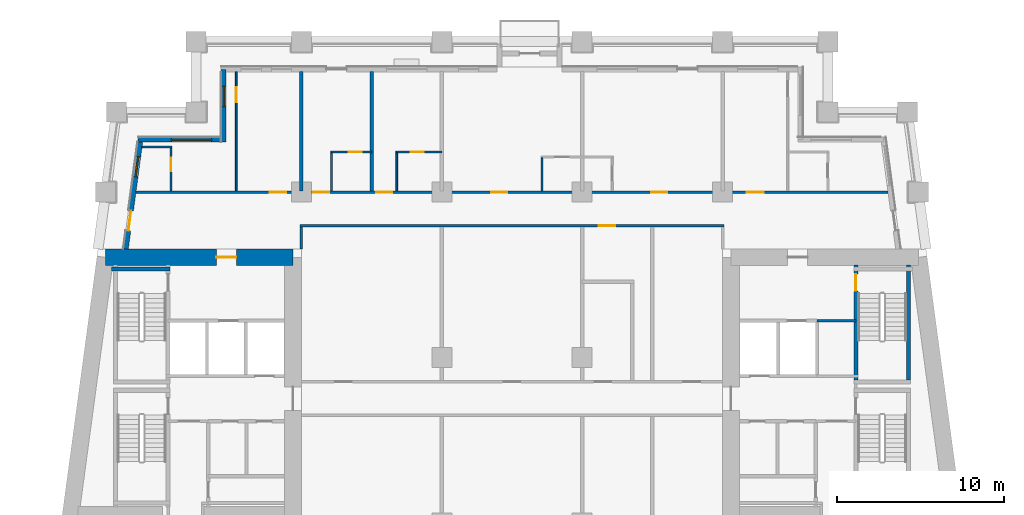
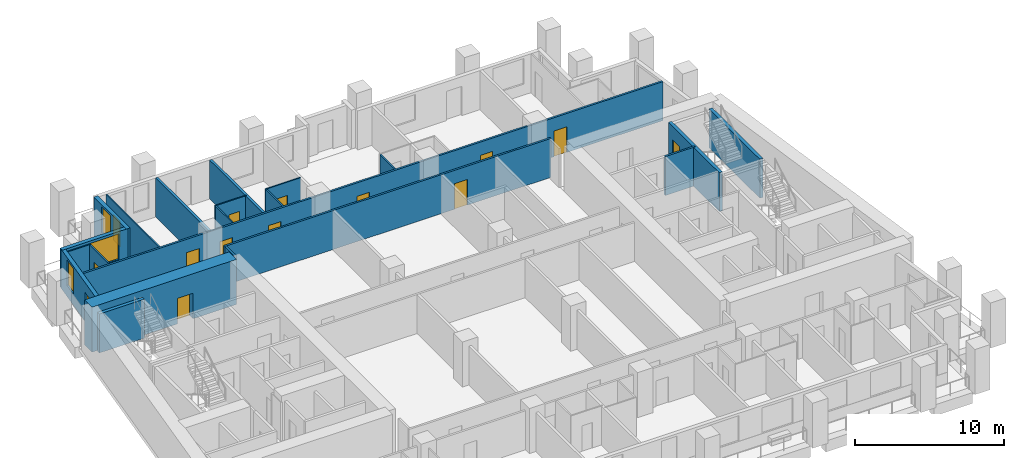
# One storey, part 6 of 13: 21 walls, 14 doors, 3 windows, 17 openings.
"""IFC4 building model written with IfcOpenShell, lengths in metres."""

from ifc_helpers import new_model, si_unit, direction, frame, frame_2d, origin, place, context, subcontext, project, spatial, rectangle, extrude, material, layer, layer_set, type_object, element, fill, save


model = new_model("IFC4")

# Units and contexts
model_context = context("Model", 3, precision=1e-05, world=origin(), true_north=direction((0.0, 1.0)))
body_context = subcontext(model_context, "Body", "Model", "MODEL_VIEW")
ifc_project = project(units=[si_unit("LENGTHUNIT", "METRE"), si_unit("AREAUNIT", "SQUARE_METRE"), si_unit("VOLUMEUNIT", "CUBIC_METRE"), si_unit("PLANEANGLEUNIT", "RADIAN"), si_unit("MASSUNIT", "GRAM", prefix="KILO")], contexts=[model_context])

# Site, building, storey
site_placement = place(None, origin())
site = spatial("IfcSite", under=ifc_project, at=site_placement, CompositionType="ELEMENT")
building_placement = place(site_placement, origin())
building = spatial("IfcBuilding", under=site, at=building_placement, Name="Candeia Pilgrim Tower and Theatre", CompositionType="ELEMENT")
storey_placement = place(building_placement, frame((0.0, 0.0, 131.699951171875)))
storey = spatial("IfcBuildingStorey", under=building, at=storey_placement, Name="L31", CompositionType="ELEMENT", Elevation=131.699951171875)

# Wall, opening, door
ifc_material_1 = material(Name="Concrete C70/85", Category="concrete")
ifc_layer_1 = layer(ifc_material_1, 1.0)
ifc_layer_set_1 = layer_set([ifc_layer_1], Name="Core wall 1000 C70/85")
wall_type_1 = type_object("IfcWallType", Name="Core wall 1000 C70/85", PredefinedType="SHEAR", material=ifc_layer_set_1)
wall_1_placement = place(storey_placement, frame((89.06787109375, 131.89990234375, 0.0), z_axis=(0.0, 0.0, 1.0), x_axis=(1.0, 0.0, 0.0)))
wall_1 = element("IfcWall", 1, at=wall_1_placement, inside=storey, type_object=wall_type_1, Name="Core wall W1", PredefinedType="SHEAR", context=body_context, shape_type="SweptSolid", body=[
    extrude(rectangle(XDim=11.232177734375, YDim=1.0, at=frame_2d((5.6162109375, 0.0))), origin(), (0.0, 0.0, 1.0), 3.699951171875),
])
opening_1_placement = place(wall_1_placement, frame((6.6455078125, 0.0, 0.0)))
opening_1 = element("IfcOpeningElement", 2, at=opening_1_placement, cuts=wall_1, Name="Opening L31-D059", PredefinedType="OPENING", context=body_context, shape_type="SweptSolid", body=[
    extrude(rectangle(XDim=1.199951171875, YDim=2.10009765625, at=frame_2d((0.60009765625, 1.050048828125))), frame((0.0, 0.510009765625, 0.0), z_axis=(0.0, -1.0, 0.0), x_axis=(1.0, 0.0, 0.0)), (0.0, 0.0, 1.0), 1.02001953125),
])
ifc_material_2 = material(Name="Steel fire door set", Category="steel")
door_type_1 = type_object("IfcDoorType", Name="D-1200-FD60", OperationType="NOTDEFINED", PredefinedType="DOOR", material=ifc_material_2)
door_1_placement = place(opening_1_placement, origin())
door_1 = element("IfcDoor", 3, at=door_1_placement, inside=storey, type_object=door_type_1, Name="Door L31-D059", OperationType="SINGLE_SWING_RIGHT", OverallHeight=2.10009765625, OverallWidth=1.199951171875, PredefinedType="DOOR", context=body_context, shape_type="SweptSolid", body=[
    extrude(rectangle(XDim=1.199951171875, YDim=2.10009765625, at=frame_2d((0.60009765625, 1.050048828125))), frame((0.0, 0.02490234375, 0.0), z_axis=(0.0, -1.0, 0.0), x_axis=(1.0, 0.0, 0.0)), (0.0, 0.0, 1.0), 0.050048828125),
])
fill(opening_1, door_1)

# Wall, opening, window
ifc_material_3 = material(Name="Ceramic block masonry", Category="masonry")
ifc_layer_2 = layer(ifc_material_3, 0.300048828125)
ifc_layer_set_2 = layer_set([ifc_layer_2], Name="EW1 glazing-line wall 300")
wall_type_2 = type_object("IfcWallType", Name="EW1 glazing-line wall 300", PredefinedType="SOLIDWALL", material=ifc_layer_set_2)
wall_2_placement = place(storey_placement, frame((96.14990234375, 143.14990234375, 0.0), z_axis=(0.0, 0.0, 1.0), x_axis=(0.0, -1.0, 0.0)))
wall_2 = element("IfcWall", 4, at=wall_2_placement, inside=storey, type_object=wall_type_2, Name="External wall L31-7.0", PredefinedType="SOLIDWALL", context=body_context, shape_type="SweptSolid", body=[
    extrude(rectangle(XDim=4.349853515625, YDim=0.300048828125, at=frame_2d((2.1748046875, 0.0))), origin(), (0.0, 0.0, 1.0), 3.199951171875),
])
opening_2_placement = place(wall_2_placement, frame((1.02490234375, 0.0, 0.89990234375)))
opening_2 = element("IfcOpeningElement", 5, at=opening_2_placement, cuts=wall_2, Name="Opening W-B", PredefinedType="OPENING", context=body_context, shape_type="SweptSolid", body=[
    extrude(rectangle(XDim=1.199951171875, YDim=2.10009765625, at=frame_2d((0.60009765625, 1.050048828125))), frame((0.0, 0.16015625, 0.0), z_axis=(0.0, -1.0, 0.0), x_axis=(1.0, 0.0, 0.0)), (0.0, 0.0, 1.0), 0.320068359375),
])
ifc_material_4 = material(Name="Aluminium framed double glazing", Category="aluminium")
window_type_1 = type_object("IfcWindowType", Name="W-B window 1200x2100", PartitioningType="SINGLE_PANEL", PredefinedType="WINDOW", material=ifc_material_4)
window_1_placement = place(opening_2_placement, origin())
window_1 = element("IfcWindow", 6, at=window_1_placement, inside=storey, type_object=window_type_1, Name="Window W-B L31", OverallHeight=2.10009765625, OverallWidth=1.199951171875, PartitioningType="SINGLE_PANEL", PredefinedType="WINDOW", context=body_context, shape_type="SweptSolid", body=[
    extrude(rectangle(XDim=1.199951171875, YDim=2.10009765625, at=frame_2d((0.60009765625, 1.050048828125))), frame((0.0, 0.030029296875, 0.0), z_axis=(0.0, -1.0, 0.0), x_axis=(1.0, 0.0, 0.0)), (0.0, 0.0, 1.0), 0.06005859375),
])
fill(opening_2, window_1)

wall_3_placement = place(storey_placement, frame((96.14990234375, 138.949951171875, 0.0), z_axis=(0.0, 0.0, 1.0), x_axis=(-1.0, 0.0, 0.0)))
wall_3 = element("IfcWall", 7, at=wall_3_placement, inside=storey, type_object=wall_type_2, Name="External wall L31-8.0", PredefinedType="SOLIDWALL", context=body_context, shape_type="SweptSolid", body=[
    extrude(rectangle(XDim=5.103759765625, YDim=0.300048828125, at=frame_2d((2.5517578125, 0.0))), origin(), (0.0, 0.0, 1.0), 3.199951171875),
])
opening_3_placement = place(wall_3_placement, frame((0.72509765625, 0.0, 0.89990234375)))
opening_3 = element("IfcOpeningElement", 8, at=opening_3_placement, cuts=wall_3, Name="Opening W-A", PredefinedType="OPENING", context=body_context, shape_type="SweptSolid", body=[
    extrude(rectangle(XDim=2.39990234375, YDim=2.10009765625, at=frame_2d((1.199951171875, 1.050048828125))), frame((0.0, 0.16015625, 0.0), z_axis=(0.0, -1.0, 0.0), x_axis=(1.0, 0.0, 0.0)), (0.0, 0.0, 1.0), 0.320068359375),
])
window_type_2 = type_object("IfcWindowType", Name="W-A window 2400x2100", PartitioningType="DOUBLE_PANEL_VERTICAL", PredefinedType="WINDOW", material=ifc_material_4)
window_2_placement = place(opening_3_placement, origin())
window_2 = element("IfcWindow", 9, at=window_2_placement, inside=storey, type_object=window_type_2, Name="Window W-A L31", OverallHeight=2.10009765625, OverallWidth=2.39990234375, PartitioningType="SINGLE_PANEL", PredefinedType="WINDOW", context=body_context, shape_type="SweptSolid", body=[
    extrude(rectangle(XDim=2.39990234375, YDim=2.10009765625, at=frame_2d((1.199951171875, 1.050048828125))), frame((0.0, 0.030029296875, 0.0), z_axis=(0.0, -1.0, 0.0), x_axis=(1.0, 0.0, 0.0)), (0.0, 0.0, 1.0), 0.06005859375),
])
fill(opening_3, window_2)

# Wall, openings, door, window
wall_4_placement = place(storey_placement, frame((91.177490234375, 138.949951171875, 0.0), z_axis=(0.0, 0.0, 1.0), x_axis=(-0.133426664613, -0.991058689065, 0.0)))
wall_4 = element("IfcWall", 10, at=wall_4_placement, inside=storey, type_object=wall_type_2, Name="External wall L31-9.0", PredefinedType="SOLIDWALL", context=body_context, shape_type="SweptSolid", body=[
    extrude(rectangle(XDim=6.609130859375, YDim=0.300048828125, at=frame_2d((3.3046875, 0.0))), origin(), (0.0, 0.0, 1.0), 3.199951171875),
])
opening_4_placement = place(wall_4_placement, frame((1.039306640625, 0.0, 0.89990234375)))
opening_4 = element("IfcOpeningElement", 11, at=opening_4_placement, cuts=wall_4, Name="Opening W-B", PredefinedType="OPENING", context=body_context, shape_type="SweptSolid", body=[
    extrude(rectangle(XDim=1.199951171875, YDim=2.10009765625, at=frame_2d((0.60009765625, 1.050048828125))), frame((0.0, 0.16015625, 0.0), z_axis=(0.0, -1.0, 0.0), x_axis=(1.0, 0.0, 0.0)), (0.0, 0.0, 1.0), 0.320068359375),
])
opening_5_placement = place(wall_4_placement, frame((4.293701171875, 0.0, 0.0)))
opening_5 = element("IfcOpeningElement", 12, at=opening_5_placement, cuts=wall_4, Name="Opening L31-ED316", PredefinedType="OPENING", context=body_context, shape_type="SweptSolid", body=[
    extrude(rectangle(XDim=1.199951171875, YDim=2.39990234375, at=frame_2d((0.60009765625, 1.199951171875))), frame((0.0, 0.16015625, 0.0), z_axis=(0.0, -1.0, 0.0), x_axis=(1.0, 0.0, 0.0)), (0.0, 0.0, 1.0), 0.320068359375),
])
ifc_material_5 = material(Name="Aluminium framed glazed door", Category="aluminium")
door_type_2 = type_object("IfcDoorType", Name="Loggia door 1200x2400", OperationType="DOUBLE_DOOR_SINGLE_SWING", PredefinedType="DOOR", material=ifc_material_5)
door_2_placement = place(opening_5_placement, origin())
door_2 = element("IfcDoor", 13, at=door_2_placement, inside=storey, type_object=door_type_2, Name="Loggia door L31-ED316", OperationType="DOUBLE_DOOR_SINGLE_SWING", OverallHeight=2.39990234375, OverallWidth=1.199951171875, PredefinedType="DOOR", context=body_context, shape_type="SweptSolid", body=[
    extrude(rectangle(XDim=1.199951171875, YDim=2.39990234375, at=frame_2d((0.60009765625, 1.199951171875))), frame((0.0, 0.02490234375, 0.0), z_axis=(0.0, -1.0, 0.0), x_axis=(1.0, 0.0, 0.0)), (0.0, 0.0, 1.0), 0.050048828125),
])
fill(opening_5, door_2)
window_3_placement = place(opening_4_placement, origin())
window_3 = element("IfcWindow", 14, at=window_3_placement, inside=storey, type_object=window_type_1, Name="Window W-B L31", OverallHeight=2.10009765625, OverallWidth=1.199951171875, PartitioningType="SINGLE_PANEL", PredefinedType="WINDOW", context=body_context, shape_type="SweptSolid", body=[
    extrude(rectangle(XDim=1.199951171875, YDim=2.10009765625, at=frame_2d((0.60009765625, 1.050048828125))), frame((0.0, 0.030029296875, 0.0), z_axis=(0.0, -1.0, 0.0), x_axis=(1.0, 0.0, 0.0)), (0.0, 0.0, 1.0), 0.06005859375),
])
fill(opening_4, window_3)

# Wall, opening, door
ifc_material_6 = material(Name="Gypsum board partition on steel studs", Category="steel")
ifc_layer_3 = layer(ifc_material_6, 0.10009765625)
ifc_layer_set_3 = layer_set([ifc_layer_3], Name="PW-100 room partition")
wall_type_3 = type_object("IfcWallType", Name="PW-100 room partition", PredefinedType="PARTITIONING", material=ifc_layer_set_3)
wall_5_placement = place(storey_placement, frame((102.550048828125, 138.199951171875, 0.0), z_axis=(0.0, 0.0, 1.0), x_axis=(1.0, 0.0, 0.0)))
wall_5 = element("IfcWall", 15, at=wall_5_placement, inside=storey, type_object=wall_type_3, Name="Room partition L31-045", PredefinedType="PARTITIONING", context=body_context, shape_type="SweptSolid", body=[
    extrude(rectangle(XDim=2.449951171875, YDim=0.10009765625, at=frame_2d((1.22509765625, 0.0))), origin(), (0.0, 0.0, 1.0), 3.199951171875),
])
opening_6_placement = place(wall_5_placement, frame((1.074951171875, 0.0, 0.0)))
opening_6 = element("IfcOpeningElement", 16, at=opening_6_placement, cuts=wall_5, Name="Opening L31-D039", PredefinedType="OPENING", context=body_context, shape_type="SweptSolid", body=[
    extrude(rectangle(XDim=0.800048828125, YDim=2.10009765625, at=frame_2d((0.39990234375, 1.050048828125))), frame((0.0, 0.06005859375, 0.0), z_axis=(0.0, -1.0, 0.0), x_axis=(1.0, 0.0, 0.0)), (0.0, 0.0, 1.0), 0.1201171875),
])
ifc_material_7 = material(Name="Timber door leaf", Category="wood")
door_type_3 = type_object("IfcDoorType", Name="D-800", OperationType="NOTDEFINED", PredefinedType="DOOR", material=ifc_material_7)
door_3_placement = place(opening_6_placement, origin())
door_3 = element("IfcDoor", 17, at=door_3_placement, inside=storey, type_object=door_type_3, Name="Door L31-D039", OperationType="SINGLE_SWING_RIGHT", OverallHeight=2.10009765625, OverallWidth=0.800048828125, PredefinedType="DOOR", context=body_context, shape_type="SweptSolid", body=[
    extrude(rectangle(XDim=0.800048828125, YDim=2.10009765625, at=frame_2d((0.39990234375, 1.050048828125))), frame((0.0, 0.02490234375, 0.0), z_axis=(0.0, -1.0, 0.0), x_axis=(1.0, 0.0, 0.0)), (0.0, 0.0, 1.0), 0.050048828125),
])
fill(opening_6, door_3)

wall_6_placement = place(storey_placement, frame((106.449951171875, 138.199951171875, 0.0), z_axis=(0.0, 0.0, 1.0), x_axis=(1.0, 0.0, 0.0)))
wall_6 = element("IfcWall", 18, at=wall_6_placement, inside=storey, type_object=wall_type_3, Name="Room partition L31-046", PredefinedType="PARTITIONING", context=body_context, shape_type="SweptSolid", body=[
    extrude(rectangle(XDim=2.75, YDim=0.10009765625, at=frame_2d((1.375, 0.0))), origin(), (0.0, 0.0, 1.0), 3.199951171875),
])
opening_7_placement = place(wall_6_placement, frame((0.8798828125, 0.0, 0.0)))
opening_7 = element("IfcOpeningElement", 19, at=opening_7_placement, cuts=wall_6, Name="Opening L31-D041", PredefinedType="OPENING", context=body_context, shape_type="SweptSolid", body=[
    extrude(rectangle(XDim=0.800048828125, YDim=2.10009765625, at=frame_2d((0.39990234375, 1.050048828125))), frame((0.0, 0.06005859375, 0.0), z_axis=(0.0, -1.0, 0.0), x_axis=(1.0, 0.0, 0.0)), (0.0, 0.0, 1.0), 0.1201171875),
])
door_4_placement = place(opening_7_placement, origin())
door_4 = element("IfcDoor", 20, at=door_4_placement, inside=storey, type_object=door_type_3, Name="Door L31-D041", OperationType="SINGLE_SWING_RIGHT", OverallHeight=2.10009765625, OverallWidth=0.800048828125, PredefinedType="DOOR", context=body_context, shape_type="SweptSolid", body=[
    extrude(rectangle(XDim=0.800048828125, YDim=2.10009765625, at=frame_2d((0.39990234375, 1.050048828125))), frame((0.0, 0.02490234375, 0.0), z_axis=(0.0, -1.0, 0.0), x_axis=(1.0, 0.0, 0.0)), (0.0, 0.0, 1.0), 0.050048828125),
])
fill(opening_7, door_4)

# Wall
wall_7_placement = place(storey_placement, frame((91.258056640625, 138.5, 0.0), z_axis=(0.0, 0.0, 1.0), x_axis=(1.0, 0.0, 0.0)))
element("IfcWall", 21, at=wall_7_placement, inside=storey, type_object=wall_type_3, Name="Room partition L31-048", PredefinedType="PARTITIONING", context=body_context, shape_type="SweptSolid", body=[
    extrude(rectangle(XDim=1.7919921875, YDim=0.10009765625, at=frame_2d((0.89599609375, 0.0))), origin(), (0.0, 0.0, 1.0), 3.199951171875),
])

# Wall, opening, door
wall_8_placement = place(storey_placement, frame((93.0, 135.875, 0.0), z_axis=(0.0, 0.0, 1.0), x_axis=(0.0, 1.0, 0.0)))
wall_8 = element("IfcWall", 22, at=wall_8_placement, inside=storey, type_object=wall_type_3, Name="Room partition L31-061", PredefinedType="PARTITIONING", context=body_context, shape_type="SweptSolid", body=[
    extrude(rectangle(XDim=2.574951171875, YDim=0.10009765625, at=frame_2d((1.28759765625, 0.0))), origin(), (0.0, 0.0, 1.0), 3.199951171875),
])
opening_8_placement = place(wall_8_placement, frame((1.175048828125, 0.0, 0.0)))
opening_8 = element("IfcOpeningElement", 23, at=opening_8_placement, cuts=wall_8, Name="Opening L31-D037", PredefinedType="OPENING", context=body_context, shape_type="SweptSolid", body=[
    extrude(rectangle(XDim=0.800048828125, YDim=2.10009765625, at=frame_2d((0.39990234375, 1.050048828125))), frame((0.0, 0.06005859375, 0.0), z_axis=(0.0, -1.0, 0.0), x_axis=(1.0, 0.0, 0.0)), (0.0, 0.0, 1.0), 0.1201171875),
])
door_5_placement = place(opening_8_placement, origin())
door_5 = element("IfcDoor", 24, at=door_5_placement, inside=storey, type_object=door_type_3, Name="Door L31-D037", OperationType="SINGLE_SWING_RIGHT", OverallHeight=2.10009765625, OverallWidth=0.800048828125, PredefinedType="DOOR", context=body_context, shape_type="SweptSolid", body=[
    extrude(rectangle(XDim=0.800048828125, YDim=2.10009765625, at=frame_2d((0.39990234375, 1.050048828125))), frame((0.0, 0.02490234375, 0.0), z_axis=(0.0, -1.0, 0.0), x_axis=(1.0, 0.0, 0.0)), (0.0, 0.0, 1.0), 0.050048828125),
])
fill(opening_8, door_5)

wall_9_placement = place(storey_placement, frame((96.89990234375, 135.875, 0.0), z_axis=(0.0, 0.0, 1.0), x_axis=(0.0, 1.0, 0.0)))
wall_9 = element("IfcWall", 25, at=wall_9_placement, inside=storey, type_object=wall_type_3, Name="Room partition L31-067", PredefinedType="PARTITIONING", context=body_context, shape_type="SweptSolid", body=[
    extrude(rectangle(XDim=7.135009765625, YDim=0.10009765625, at=frame_2d((3.5673828125, 0.0))), origin(), (0.0, 0.0, 1.0), 3.199951171875),
])
opening_9_placement = place(wall_9_placement, frame((5.2900390625, 0.0, 0.0)))
opening_9 = element("IfcOpeningElement", 26, at=opening_9_placement, cuts=wall_9, Name="Opening L31-D036", PredefinedType="OPENING", context=body_context, shape_type="SweptSolid", body=[
    extrude(rectangle(XDim=0.89990234375, YDim=2.10009765625, at=frame_2d((0.449951171875, 1.050048828125))), frame((0.0, 0.06005859375, 0.0), z_axis=(0.0, -1.0, 0.0), x_axis=(1.0, 0.0, 0.0)), (0.0, 0.0, 1.0), 0.1201171875),
])
door_type_4 = type_object("IfcDoorType", Name="D-900", OperationType="NOTDEFINED", PredefinedType="DOOR", material=ifc_material_7)
door_6_placement = place(opening_9_placement, origin())
door_6 = element("IfcDoor", 27, at=door_6_placement, inside=storey, type_object=door_type_4, Name="Door L31-D036", OperationType="SINGLE_SWING_LEFT", OverallHeight=2.10009765625, OverallWidth=0.89990234375, PredefinedType="DOOR", context=body_context, shape_type="SweptSolid", body=[
    extrude(rectangle(XDim=0.89990234375, YDim=2.10009765625, at=frame_2d((0.449951171875, 1.050048828125))), frame((0.0, 0.02490234375, 0.0), z_axis=(0.0, -1.0, 0.0), x_axis=(1.0, 0.0, 0.0)), (0.0, 0.0, 1.0), 0.050048828125),
])
fill(opening_9, door_6)

# Walls
for number, where, z_axis, x_axis, name in (
    (28, (102.60009765625, 135.875, 0.0), (0.0, 0.0, 1.0), (0.0, 1.0, 0.0), "Room partition L31-076"),
    (29, (106.5, 135.875, 0.0), (0.0, 0.0, 1.0), (0.0, 1.0, 0.0), "Room partition L31-078"),
):
    element("IfcWall", number, at=place(storey_placement, frame(where, z_axis=z_axis, x_axis=x_axis)), inside=storey, type_object=wall_type_3, Name=name, PredefinedType="PARTITIONING", context=body_context, shape_type="SweptSolid", body=[
        extrude(rectangle(XDim=2.27490234375, YDim=0.10009765625, at=frame_2d((1.137451171875, 0.0))), origin(), (0.0, 0.0, 1.0), 3.199951171875),
    ])
wall_10_placement = place(storey_placement, frame((115.199951171875, 135.875, 0.0), z_axis=(0.0, 0.0, 1.0), x_axis=(0.0, 1.0, 0.0)))
element("IfcWall", 30, at=wall_10_placement, inside=storey, type_object=wall_type_3, Name="Room partition L31-085", PredefinedType="PARTITIONING", context=body_context, shape_type="SweptSolid", body=[
    extrude(rectangle(XDim=1.97509765625, YDim=0.10009765625, at=frame_2d((0.987548828125, 0.0))), origin(), (0.0, 0.0, 1.0), 3.199951171875),
])
ifc_layer_4 = layer(ifc_material_6, 0.14990234375)
ifc_layer_set_4 = layer_set([ifc_layer_4], Name="PW-150 lobby wall")
wall_type_4 = type_object("IfcWallType", Name="PW-150 lobby wall", PredefinedType="PARTITIONING", material=ifc_layer_set_4)
wall_11_placement = place(storey_placement, frame((131.648681640625, 128.10009765625, 0.0), z_axis=(0.0, 0.0, 1.0), x_axis=(1.0, 0.0, 0.0)))
element("IfcWall", 31, at=wall_11_placement, inside=storey, type_object=wall_type_4, Name="Lobby wall L31-038", PredefinedType="PARTITIONING", context=body_context, shape_type="SweptSolid", body=[
    extrude(rectangle(XDim=2.32421875, YDim=0.14990234375, at=frame_2d((1.162109375, 0.0))), origin(), (0.0, 0.0, 1.0), 3.199951171875),
])

# Wall, opening, door
ifc_layer_5 = layer(ifc_material_6, 0.14990234375)
ifc_layer_set_5 = layer_set([ifc_layer_5], Name="PW-150 unit wall")
wall_type_5 = type_object("IfcWallType", Name="PW-150 unit wall", PredefinedType="PARTITIONING", material=ifc_layer_set_5)
wall_12_placement = place(storey_placement, frame((100.72509765625, 133.800048828125, 0.0), z_axis=(0.0, 0.0, 1.0), x_axis=(1.0, 0.0, 0.0)))
wall_12 = element("IfcWall", 32, at=wall_12_placement, inside=storey, type_object=wall_type_5, Name="Unit wall L31-042", PredefinedType="PARTITIONING", context=body_context, shape_type="SweptSolid", body=[
    extrude(rectangle(XDim=25.349853515625, YDim=0.14990234375, at=frame_2d((12.6748046875, 0.0))), origin(), (0.0, 0.0, 1.0), 3.199951171875),
])
opening_10_placement = place(wall_12_placement, frame((17.85009765625, 0.0, 0.0)))
opening_10 = element("IfcOpeningElement", 33, at=opening_10_placement, cuts=wall_12, Name="Opening L31-D049", PredefinedType="OPENING", context=body_context, shape_type="SweptSolid", body=[
    extrude(rectangle(XDim=1.0, YDim=2.10009765625, at=frame_2d((0.5, 1.050048828125))), frame((0.0, 0.0849609375, 0.0), z_axis=(0.0, -1.0, 0.0), x_axis=(1.0, 0.0, 0.0)), (0.0, 0.0, 1.0), 0.169921875),
])
door_type_5 = type_object("IfcDoorType", Name="D-1000-FD30S", OperationType="NOTDEFINED", PredefinedType="DOOR", material=ifc_material_2)
door_7_placement = place(opening_10_placement, origin())
door_7 = element("IfcDoor", 34, at=door_7_placement, inside=storey, type_object=door_type_5, Name="Door L31-D049", OperationType="SINGLE_SWING_RIGHT", OverallHeight=2.10009765625, OverallWidth=1.0, PredefinedType="DOOR", context=body_context, shape_type="SweptSolid", body=[
    extrude(rectangle(XDim=1.0, YDim=2.10009765625, at=frame_2d((0.5, 1.050048828125))), frame((0.0, 0.02490234375, 0.0), z_axis=(0.0, -1.0, 0.0), x_axis=(1.0, 0.0, 0.0)), (0.0, 0.0, 1.0), 0.050048828125),
])
fill(opening_10, door_7)

# Wall, openings, doors
wall_13_placement = place(storey_placement, frame((90.89453125, 135.800048828125, 0.0), z_axis=(0.0, 0.0, 1.0), x_axis=(1.0, 0.0, 0.0)))
wall_13 = element("IfcWall", 35, at=wall_13_placement, inside=storey, type_object=wall_type_5, Name="Unit wall L31-043", PredefinedType="PARTITIONING", context=body_context, shape_type="SweptSolid", body=[
    extrude(rectangle(XDim=45.010986328125, YDim=0.14990234375, at=frame_2d((22.50537109375, 0.0))), origin(), (0.0, 0.0, 1.0), 3.199951171875),
])
opening_11_placement = place(wall_13_placement, frame((8.00537109375, 0.0, 0.0)))
opening_11 = element("IfcOpeningElement", 36, at=opening_11_placement, cuts=wall_13, Name="Opening L31-D035", PredefinedType="OPENING", context=body_context, shape_type="SweptSolid", body=[
    extrude(rectangle(XDim=1.0, YDim=2.10009765625, at=frame_2d((0.5, 1.050048828125))), frame((0.0, 0.0849609375, 0.0), z_axis=(0.0, -1.0, 0.0), x_axis=(1.0, 0.0, 0.0)), (0.0, 0.0, 1.0), 0.169921875),
])
opening_12_placement = place(wall_13_placement, frame((10.62548828125, 0.0, 0.0)))
opening_12 = element("IfcOpeningElement", 37, at=opening_12_placement, cuts=wall_13, Name="Opening L31-D038", PredefinedType="OPENING", context=body_context, shape_type="SweptSolid", body=[
    extrude(rectangle(XDim=0.949951171875, YDim=2.10009765625, at=frame_2d((0.47509765625, 1.050048828125))), frame((0.0, 0.0849609375, 0.0), z_axis=(0.0, -1.0, 0.0), x_axis=(1.0, 0.0, 0.0)), (0.0, 0.0, 1.0), 0.169921875),
])
opening_13_placement = place(wall_13_placement, frame((14.38037109375, 0.0, 0.0)))
opening_13 = element("IfcOpeningElement", 38, at=opening_13_placement, cuts=wall_13, Name="Opening L31-D040", PredefinedType="OPENING", context=body_context, shape_type="SweptSolid", body=[
    extrude(rectangle(XDim=0.949951171875, YDim=2.10009765625, at=frame_2d((0.47509765625, 1.050048828125))), frame((0.0, 0.0849609375, 0.0), z_axis=(0.0, -1.0, 0.0), x_axis=(1.0, 0.0, 0.0)), (0.0, 0.0, 1.0), 0.169921875),
])
opening_14_placement = place(wall_13_placement, frame((21.265380859375, 0.0, 0.0)))
opening_14 = element("IfcOpeningElement", 39, at=opening_14_placement, cuts=wall_13, Name="Opening L31-D042", PredefinedType="OPENING", context=body_context, shape_type="SweptSolid", body=[
    extrude(rectangle(XDim=0.949951171875, YDim=2.10009765625, at=frame_2d((0.47509765625, 1.050048828125))), frame((0.0, 0.0849609375, 0.0), z_axis=(0.0, -1.0, 0.0), x_axis=(1.0, 0.0, 0.0)), (0.0, 0.0, 1.0), 0.169921875),
])
opening_15_placement = place(wall_13_placement, frame((30.83544921875, 0.0, 0.0)))
opening_15 = element("IfcOpeningElement", 40, at=opening_15_placement, cuts=wall_13, Name="Opening L31-D044", PredefinedType="OPENING", context=body_context, shape_type="SweptSolid", body=[
    extrude(rectangle(XDim=0.949951171875, YDim=2.10009765625, at=frame_2d((0.47509765625, 1.050048828125))), frame((0.0, 0.0849609375, 0.0), z_axis=(0.0, -1.0, 0.0), x_axis=(1.0, 0.0, 0.0)), (0.0, 0.0, 1.0), 0.169921875),
])
opening_16_placement = place(wall_13_placement, frame((36.555419921875, 0.0, 0.0)))
opening_16 = element("IfcOpeningElement", 41, at=opening_16_placement, cuts=wall_13, Name="Opening L31-D046", PredefinedType="OPENING", context=body_context, shape_type="SweptSolid", body=[
    extrude(rectangle(XDim=1.0, YDim=2.10009765625, at=frame_2d((0.5, 1.050048828125))), frame((0.0, 0.0849609375, 0.0), z_axis=(0.0, -1.0, 0.0), x_axis=(1.0, 0.0, 0.0)), (0.0, 0.0, 1.0), 0.169921875),
])
door_8_placement = place(opening_11_placement, origin())
door_8 = element("IfcDoor", 42, at=door_8_placement, inside=storey, type_object=door_type_5, Name="Door L31-D035", OperationType="SINGLE_SWING_RIGHT", OverallHeight=2.10009765625, OverallWidth=1.0, PredefinedType="DOOR", context=body_context, shape_type="SweptSolid", body=[
    extrude(rectangle(XDim=1.0, YDim=2.10009765625, at=frame_2d((0.5, 1.050048828125))), frame((0.0, 0.02490234375, 0.0), z_axis=(0.0, -1.0, 0.0), x_axis=(1.0, 0.0, 0.0)), (0.0, 0.0, 1.0), 0.050048828125),
])
fill(opening_11, door_8)
door_9_placement = place(opening_16_placement, origin())
door_9 = element("IfcDoor", 43, at=door_9_placement, inside=storey, type_object=door_type_5, Name="Door L31-D046", OperationType="SINGLE_SWING_LEFT", OverallHeight=2.10009765625, OverallWidth=1.0, PredefinedType="DOOR", context=body_context, shape_type="SweptSolid", body=[
    extrude(rectangle(XDim=1.0, YDim=2.10009765625, at=frame_2d((0.5, 1.050048828125))), frame((0.0, 0.02490234375, 0.0), z_axis=(0.0, -1.0, 0.0), x_axis=(1.0, 0.0, 0.0)), (0.0, 0.0, 1.0), 0.050048828125),
])
fill(opening_16, door_9)
door_type_6 = type_object("IfcDoorType", Name="D-950-FD30S", OperationType="NOTDEFINED", PredefinedType="DOOR", material=ifc_material_2)
door_10_placement = place(opening_12_placement, origin())
door_10 = element("IfcDoor", 44, at=door_10_placement, inside=storey, type_object=door_type_6, Name="Door L31-D038", OperationType="SINGLE_SWING_LEFT", OverallHeight=2.10009765625, OverallWidth=0.949951171875, PredefinedType="DOOR", context=body_context, shape_type="SweptSolid", body=[
    extrude(rectangle(XDim=0.949951171875, YDim=2.10009765625, at=frame_2d((0.47509765625, 1.050048828125))), frame((0.0, 0.02490234375, 0.0), z_axis=(0.0, -1.0, 0.0), x_axis=(1.0, 0.0, 0.0)), (0.0, 0.0, 1.0), 0.050048828125),
])
fill(opening_12, door_10)
door_11_placement = place(opening_13_placement, origin())
door_11 = element("IfcDoor", 45, at=door_11_placement, inside=storey, type_object=door_type_6, Name="Door L31-D040", OperationType="SINGLE_SWING_LEFT", OverallHeight=2.10009765625, OverallWidth=0.949951171875, PredefinedType="DOOR", context=body_context, shape_type="SweptSolid", body=[
    extrude(rectangle(XDim=0.949951171875, YDim=2.10009765625, at=frame_2d((0.47509765625, 1.050048828125))), frame((0.0, 0.02490234375, 0.0), z_axis=(0.0, -1.0, 0.0), x_axis=(1.0, 0.0, 0.0)), (0.0, 0.0, 1.0), 0.050048828125),
])
fill(opening_13, door_11)
door_12_placement = place(opening_14_placement, origin())
door_12 = element("IfcDoor", 46, at=door_12_placement, inside=storey, type_object=door_type_6, Name="Door L31-D042", OperationType="SINGLE_SWING_LEFT", OverallHeight=2.10009765625, OverallWidth=0.949951171875, PredefinedType="DOOR", context=body_context, shape_type="SweptSolid", body=[
    extrude(rectangle(XDim=0.949951171875, YDim=2.10009765625, at=frame_2d((0.47509765625, 1.050048828125))), frame((0.0, 0.02490234375, 0.0), z_axis=(0.0, -1.0, 0.0), x_axis=(1.0, 0.0, 0.0)), (0.0, 0.0, 1.0), 0.050048828125),
])
fill(opening_14, door_12)
door_13_placement = place(opening_15_placement, origin())
door_13 = element("IfcDoor", 47, at=door_13_placement, inside=storey, type_object=door_type_6, Name="Door L31-D044", OperationType="SINGLE_SWING_LEFT", OverallHeight=2.10009765625, OverallWidth=0.949951171875, PredefinedType="DOOR", context=body_context, shape_type="SweptSolid", body=[
    extrude(rectangle(XDim=0.949951171875, YDim=2.10009765625, at=frame_2d((0.47509765625, 1.050048828125))), frame((0.0, 0.02490234375, 0.0), z_axis=(0.0, -1.0, 0.0), x_axis=(1.0, 0.0, 0.0)), (0.0, 0.0, 1.0), 0.050048828125),
])
fill(opening_15, door_13)

# Walls
wall_14_placement = place(storey_placement, frame((100.800048828125, 132.39990234375, 0.0), z_axis=(0.0, 0.0, 1.0), x_axis=(0.0, 1.0, 0.0)))
element("IfcWall", 48, at=wall_14_placement, inside=storey, type_object=wall_type_5, Name="Unit wall L31-075", PredefinedType="PARTITIONING", context=body_context, shape_type="SweptSolid", body=[
    extrude(rectangle(XDim=1.3251953125, YDim=0.14990234375, at=frame_2d((0.66259765625, 0.0))), origin(), (0.0, 0.0, 1.0), 3.199951171875),
])
ifc_layer_6 = layer(ifc_material_6, 0.199951171875)
ifc_layer_set_6 = layer_set([ifc_layer_6], Name="PW-200 party wall")
wall_type_6 = type_object("IfcWallType", Name="PW-200 party wall", PredefinedType="PARTITIONING", material=ifc_layer_set_6)
for number, where, z_axis, x_axis, name in (
    (49, (100.800048828125, 135.875, 0.0), (0.0, 0.0, 1.0), (0.0, 1.0, 0.0), "Party wall L31-073"),
    (50, (105.0, 135.875, 0.0), (0.0, 0.0, 1.0), (0.0, 1.0, 0.0), "Party wall L31-077"),
):
    element("IfcWall", number, at=place(storey_placement, frame(where, z_axis=z_axis, x_axis=x_axis)), inside=storey, type_object=wall_type_6, Name=name, PredefinedType="PARTITIONING", context=body_context, shape_type="SweptSolid", body=[
        extrude(rectangle(XDim=7.135009765625, YDim=0.199951171875, at=frame_2d((3.5673828125, 0.0))), origin(), (0.0, 0.0, 1.0), 3.199951171875),
    ])
ifc_material_8 = material(Name="Concrete C40/50", Category="concrete")
ifc_layer_7 = layer(ifc_material_8, 0.25)
ifc_layer_set_7 = layer_set([ifc_layer_7], Name="SW-250 stair wall")
wall_type_7 = type_object("IfcWallType", Name="SW-250 stair wall", PredefinedType="PARTITIONING", material=ifc_layer_set_7)
wall_15_placement = place(storey_placement, frame((89.4482421875, 131.199951171875, 0.0), z_axis=(0.0, 0.0, 1.0), x_axis=(1.0, 0.0, 0.0)))
element("IfcWall", 51, at=wall_15_placement, inside=storey, type_object=wall_type_7, Name="Stair wall L31-040", PredefinedType="PARTITIONING", context=body_context, shape_type="SweptSolid", body=[
    extrude(rectangle(XDim=3.503662109375, YDim=0.25, at=frame_2d((1.751953125, 0.0))), origin(), (0.0, 0.0, 1.0), 3.199951171875),
])

# Wall, opening, door
wall_16_placement = place(storey_placement, frame((133.972900390625, 124.574951171875, 0.0), z_axis=(0.0, 0.0, 1.0), x_axis=(0.0, 1.0, 0.0)))
wall_16 = element("IfcWall", 52, at=wall_16_placement, inside=storey, type_object=wall_type_7, Name="Stair wall L31-116", PredefinedType="PARTITIONING", context=body_context, shape_type="SweptSolid", body=[
    extrude(rectangle(XDim=6.85498046875, YDim=0.25, at=frame_2d((3.427490234375, 0.0))), origin(), (0.0, 0.0, 1.0), 3.199951171875),
])
opening_17_placement = place(wall_16_placement, frame((5.324951171875, 0.0, 0.0)))
opening_17 = element("IfcOpeningElement", 53, at=opening_17_placement, cuts=wall_16, Name="Opening L31-D014", PredefinedType="OPENING", context=body_context, shape_type="SweptSolid", body=[
    extrude(rectangle(XDim=1.0, YDim=2.10009765625, at=frame_2d((0.5, 1.050048828125))), frame((0.0, 0.135009765625, 0.0), z_axis=(0.0, -1.0, 0.0), x_axis=(1.0, 0.0, 0.0)), (0.0, 0.0, 1.0), 0.27001953125),
])
door_type_7 = type_object("IfcDoorType", Name="D-1000-FD60", OperationType="NOTDEFINED", PredefinedType="DOOR", material=ifc_material_2)
door_14_placement = place(opening_17_placement, origin())
door_14 = element("IfcDoor", 54, at=door_14_placement, inside=storey, type_object=door_type_7, Name="Door L31-D014", OperationType="SINGLE_SWING_RIGHT", OverallHeight=2.10009765625, OverallWidth=1.0, PredefinedType="DOOR", context=body_context, shape_type="SweptSolid", body=[
    extrude(rectangle(XDim=1.0, YDim=2.10009765625, at=frame_2d((0.5, 1.050048828125))), frame((0.0, 0.02490234375, 0.0), z_axis=(0.0, -1.0, 0.0), x_axis=(1.0, 0.0, 0.0)), (0.0, 0.0, 1.0), 0.050048828125),
])
fill(opening_17, door_14)

# Wall
wall_17_placement = place(storey_placement, frame((137.123046875, 124.574951171875, 0.0), z_axis=(0.0, 0.0, 1.0), x_axis=(0.0, 1.0, 0.0)))
element("IfcWall", 55, at=wall_17_placement, inside=storey, type_object=wall_type_7, Name="Stair wall L31-120", PredefinedType="PARTITIONING", context=body_context, shape_type="SweptSolid", body=[
    extrude(rectangle(XDim=6.85498046875, YDim=0.25, at=frame_2d((3.427490234375, 0.0))), origin(), (0.0, 0.0, 1.0), 3.199951171875),
])

save(model, "model.ifc")
